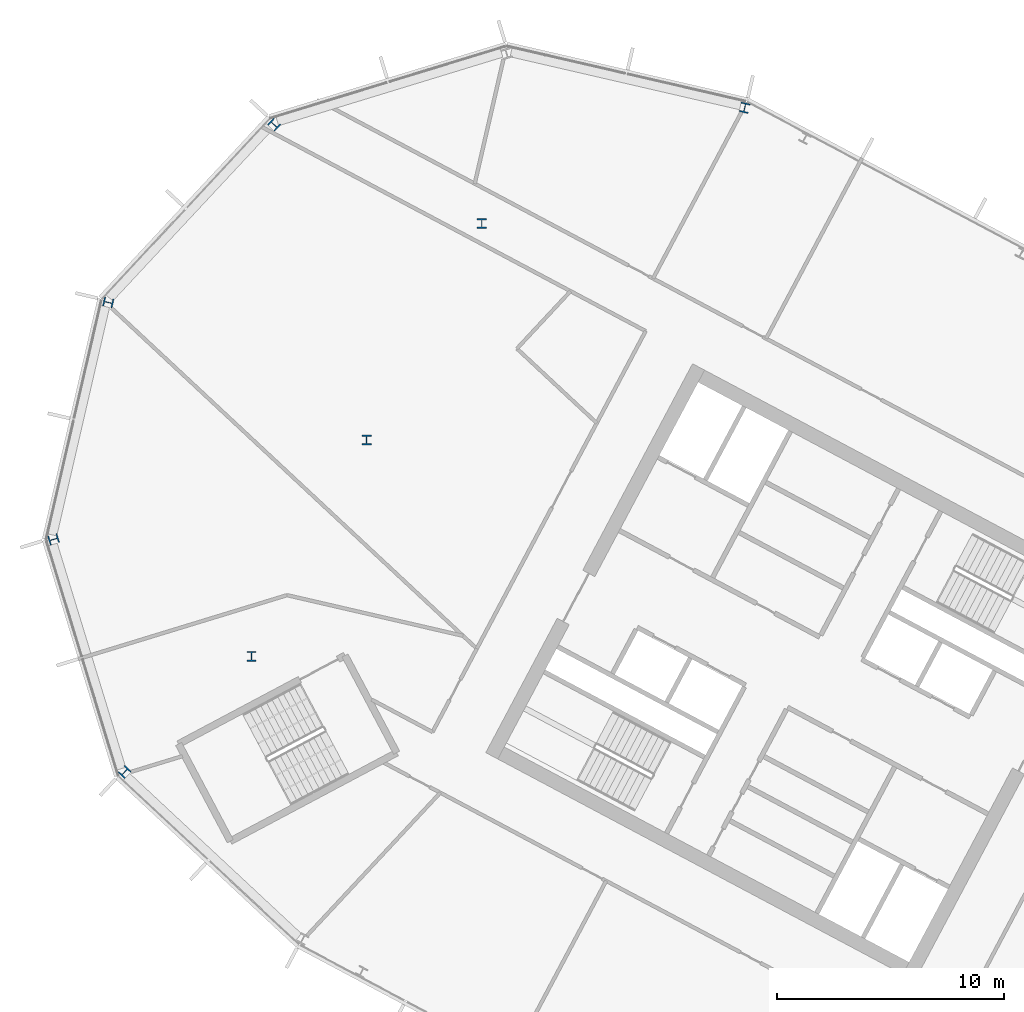
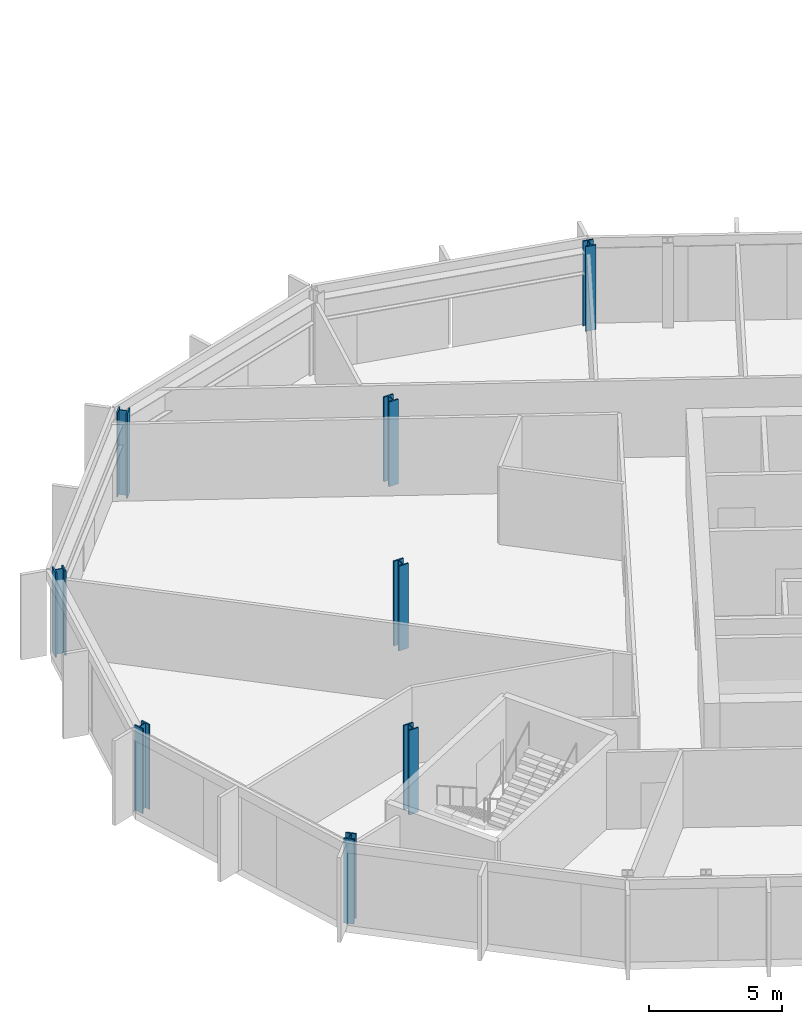
# One storey, part 3 of 27: 8 columns.
"""IFC4 building model written with IfcOpenShell, lengths in metres."""

from ifc_helpers import new_model, si_unit, direction, frame, origin, origin_2d, place, context, subcontext, project, spatial, i_section, extrude, material, material_profile, profile_set, type_object, element, save


model = new_model("IFC4")

# Units and contexts
model_context = context("Model", 3, precision=1e-05, world=origin(), true_north=direction((0.0, 1.0)))
body_context = subcontext(model_context, "Body", "Model", "MODEL_VIEW")
ifc_project = project(units=[si_unit("LENGTHUNIT", "METRE"), si_unit("AREAUNIT", "SQUARE_METRE"), si_unit("VOLUMEUNIT", "CUBIC_METRE"), si_unit("PLANEANGLEUNIT", "RADIAN"), si_unit("MASSUNIT", "GRAM", prefix="KILO")], contexts=[model_context])

# Site, building, storey
site_placement = place(None, origin())
site = spatial("IfcSite", under=ifc_project, at=site_placement, CompositionType="ELEMENT")
building_placement = place(site_placement, origin())
building = spatial("IfcBuilding", under=site, at=building_placement, Name="Cormorant Relay Tower", CompositionType="ELEMENT")
storey_placement = place(building_placement, frame((0.0, 0.0, 232.5)))
storey = spatial("IfcBuildingStorey", under=building, at=storey_placement, Name="L51", CompositionType="ELEMENT", Elevation=232.5)

# Columns
ifc_material = material(Name="Steel ASTM A992 (Fy 345 MPa)", Category="steel")
ifc_material_profile = material_profile(ifc_material, i_section(OverallWidth=0.41162109375, OverallDepth=0.434326171875, WebThickness=0.035888671875, FlangeThickness=0.057373046875, FilletRadius=0.01513671875, at=origin_2d()), Name="W360x463")
ifc_profile_set = profile_set([ifc_material_profile], Name="Steel ASTM A992 (Fy 345 MPa)")
column_type = type_object("IfcColumnType", Name="Column W360x463", PredefinedType="COLUMN", material=ifc_profile_set)
for number, where, z_axis, x_axis, name in (
    (1, (-57.279052734375, 10.162109375, 0.0), (0.0, 0.0, 1.0), (0.731353701619, -0.681998360062, 0.0), "Column L51-022"),
    (2, (-51.68994140625, 15.251953125, 0.0), (0.0, 0.0, 1.0), (1.0, 0.0, 0.0), "Column L51-027"),
    (3, (-60.409912109375, 20.404052734375, 0.0), (0.0, 0.0, 1.0), (0.292371704723, -0.956304755963, 0.0), "Column L51-028"),
    (4, (-46.6201171875, 24.7880859375, 0.0), (0.0, 0.0, 1.0), (1.0, 0.0, 0.0), "Column L51-031"),
    (5, (-58.0009765625, 30.840087890625, 0.0), (0.0, 0.0, 1.0), (-0.224951054344, -0.974370064785, 0.0), "Column L51-034"),
    (6, (-41.549072265625, 34.323974609375, 0.0), (0.0, 0.0, 1.0), (1.0, 0.0, 0.0), "Column L51-038"),
    (7, (-50.697021484375, 38.672119140625, 0.0), (0.0, 0.0, 1.0), (-0.681998360062, -0.731353701619, 0.0), "Column L51-042"),
    (8, (-29.968017578125, 39.4150390625, 0.0), (0.0, 0.0, 1.0), (-0.974370064785, 0.224951054344, 0.0), "Column L51-044"),
):
    element("IfcColumn", number, at=place(storey_placement, frame(where, z_axis=z_axis, x_axis=x_axis)), inside=storey, type_object=column_type, Name=name, PredefinedType="COLUMN", context=body_context, shape_type="SweptSolid", body=[
        extrude(i_section(OverallWidth=0.41162109375, OverallDepth=0.434326171875, WebThickness=0.035888671875, FlangeThickness=0.057373046875, FilletRadius=0.01513671875, at=origin_2d()), origin(), (0.0, 0.0, 1.0), 3.89990234375),
    ])

save(model, "model.ifc")
